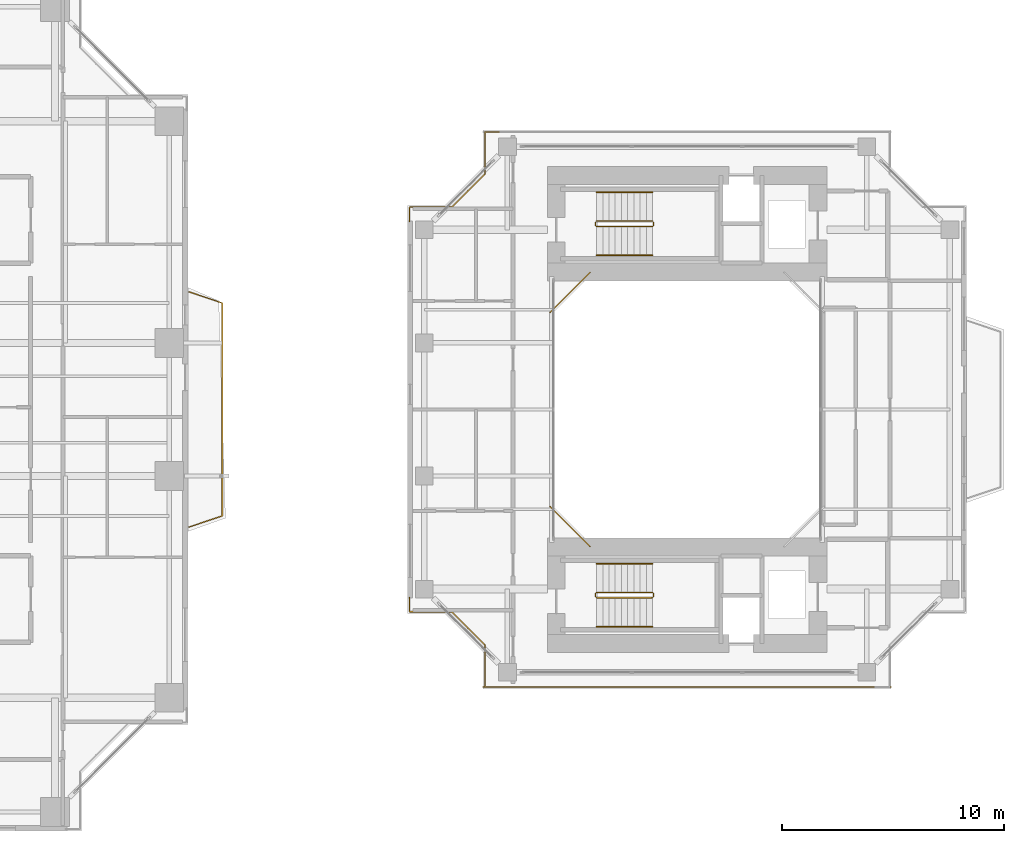
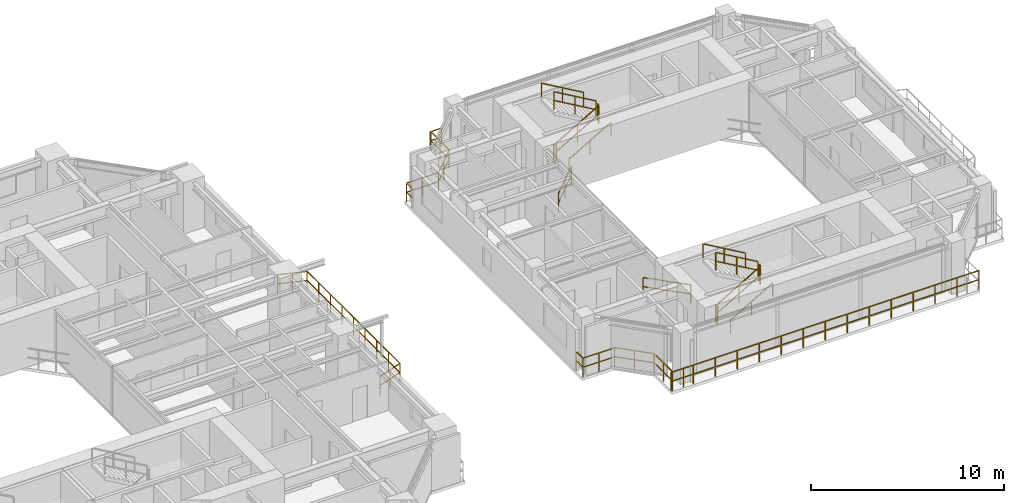
# One storey, part 22 of 23: 18 railings.
"""IFC4 building model written with IfcOpenShell, lengths in metres."""

from ifc_helpers import new_model, si_unit, direction, frame, origin, origin_2d, place, context, subcontext, project, spatial, rectangle, extrude, material, type_object, element, save


model = new_model("IFC4")

# Units and contexts
model_context = context("Model", 3, precision=1e-05, world=origin(), true_north=direction((0.0, 1.0)))
body_context = subcontext(model_context, "Body", "Model", "MODEL_VIEW")
ifc_project = project(units=[si_unit("LENGTHUNIT", "METRE"), si_unit("AREAUNIT", "SQUARE_METRE"), si_unit("VOLUMEUNIT", "CUBIC_METRE"), si_unit("PLANEANGLEUNIT", "RADIAN"), si_unit("MASSUNIT", "GRAM", prefix="KILO"), si_unit("THERMODYNAMICTEMPERATUREUNIT", "KELVIN"), si_unit("POWERUNIT", "WATT")], contexts=[model_context])

# Site, building, storey
site_placement = place(None, origin())
site = spatial("IfcSite", under=ifc_project, at=site_placement, CompositionType="ELEMENT")
building_placement = place(site_placement, origin())
building = spatial("IfcBuilding", under=site, at=building_placement, Name="Qiaomeng Ring Towers", CompositionType="ELEMENT")
storey_placement = place(building_placement, frame((0.0, 0.0, 86.0)))
storey = spatial("IfcBuildingStorey", under=building, at=storey_placement, Name="L24", CompositionType="ELEMENT", Elevation=86.0)

# Railings
ifc_material_1 = material(Name="Low-E pale-green laminated safety glass", Category="glass")
railing_type_1 = type_object("IfcRailingType", Name="ARC-RL-BAL1", PredefinedType="BALUSTRADE", material=ifc_material_1)
railing_1_placement = place(storey_placement, frame((38.050048828125, 17.699951171875, 0.0)))
element("IfcRailing", 1, at=railing_1_placement, inside=storey, type_object=railing_type_1, Name="L24 Balustrade ARC-BAL-L24-T1-E", PredefinedType="BALUSTRADE", context=body_context, shape_type="SweptSolid", body=[
    extrude(rectangle(XDim=0.048095703125, YDim=0.048095703125, at=origin_2d()), frame((0.0, 0.0, 1.17578125), z_axis=(0.948044476945, 0.318137815629, 0.0), x_axis=(-0.318137815629, 0.948044476945, 0.0)), (0.0, 0.0, 1.0), 1.571533203125),
    extrude(rectangle(XDim=0.048095703125, YDim=0.048095703125, at=origin_2d()), frame((0.0, 0.0, 0.60009765625), z_axis=(0.948044476945, 0.318137815629, 0.0), x_axis=(-0.318137815629, 0.948044476945, 0.0)), (0.0, 0.0, 1.0), 1.571533203125),
    extrude(rectangle(XDim=0.048095703125, YDim=0.048095703125, at=origin_2d()), frame((1.489990234375, 0.5, 1.17578125), z_axis=(0.0, 1.0, 0.0), x_axis=(-1.0, 0.0, 0.0)), (0.0, 0.0, 1.0), 9.60009765625),
    extrude(rectangle(XDim=0.048095703125, YDim=0.048095703125, at=origin_2d()), frame((1.489990234375, 0.5, 0.60009765625), z_axis=(0.0, 1.0, 0.0), x_axis=(-1.0, 0.0, 0.0)), (0.0, 0.0, 1.0), 9.60009765625),
    extrude(rectangle(XDim=0.048095703125, YDim=0.048095703125, at=origin_2d()), frame((1.489990234375, 10.10009765625, 1.17578125), z_axis=(-0.948044476945, 0.318137815629, 0.0), x_axis=(-0.318137815629, -0.948044476945, 0.0)), (0.0, 0.0, 1.0), 1.571533203125),
    extrude(rectangle(XDim=0.048095703125, YDim=0.048095703125, at=origin_2d()), frame((1.489990234375, 10.10009765625, 0.60009765625), z_axis=(-0.948044476945, 0.318137815629, 0.0), x_axis=(-0.318137815629, -0.948044476945, 0.0)), (0.0, 0.0, 1.0), 1.571533203125),
    extrude(rectangle(XDim=0.0419921875, YDim=0.0419921875, at=origin_2d()), origin(), (0.0, 0.0, 1.0), 1.15185546875),
    extrude(rectangle(XDim=0.0419921875, YDim=0.0419921875, at=origin_2d()), frame((0.7451171875, 0.25, 0.0)), (0.0, 0.0, 1.0), 1.15185546875),
    extrude(rectangle(XDim=0.0419921875, YDim=0.0419921875, at=origin_2d()), frame((1.489990234375, 0.5, 0.0)), (0.0, 0.0, 1.0), 1.15185546875),
    extrude(rectangle(XDim=0.0419921875, YDim=0.0419921875, at=origin_2d()), frame((1.489990234375, 1.699951171875, 0.0)), (0.0, 0.0, 1.0), 1.15185546875),
    extrude(rectangle(XDim=0.0419921875, YDim=0.0419921875, at=origin_2d()), frame((1.489990234375, 2.89990234375, 0.0)), (0.0, 0.0, 1.0), 1.15185546875),
    extrude(rectangle(XDim=0.0419921875, YDim=0.0419921875, at=origin_2d()), frame((1.489990234375, 4.10009765625, 0.0)), (0.0, 0.0, 1.0), 1.15185546875),
    extrude(rectangle(XDim=0.0419921875, YDim=0.0419921875, at=origin_2d()), frame((1.489990234375, 5.300048828125, 0.0)), (0.0, 0.0, 1.0), 1.15185546875),
    extrude(rectangle(XDim=0.0419921875, YDim=0.0419921875, at=origin_2d()), frame((1.489990234375, 6.5, 0.0)), (0.0, 0.0, 1.0), 1.15185546875),
    extrude(rectangle(XDim=0.0419921875, YDim=0.0419921875, at=origin_2d()), frame((1.489990234375, 7.7001953125, 0.0)), (0.0, 0.0, 1.0), 1.15185546875),
    extrude(rectangle(XDim=0.0419921875, YDim=0.0419921875, at=origin_2d()), frame((1.489990234375, 8.900146484375, 0.0)), (0.0, 0.0, 1.0), 1.15185546875),
    extrude(rectangle(XDim=0.0419921875, YDim=0.0419921875, at=origin_2d()), frame((1.489990234375, 10.10009765625, 0.0)), (0.0, 0.0, 1.0), 1.15185546875),
    extrude(rectangle(XDim=0.0419921875, YDim=0.0419921875, at=origin_2d()), frame((0.7451171875, 10.35009765625, 0.0)), (0.0, 0.0, 1.0), 1.15185546875),
    extrude(rectangle(XDim=0.0419921875, YDim=0.0419921875, at=origin_2d()), frame((0.0, 10.60009765625, 0.0)), (0.0, 0.0, 1.0), 1.15185546875),
])
railing_2_placement = place(storey_placement, frame((56.1201171875, 29.179931640625, 0.0)))
element("IfcRailing", 2, at=railing_2_placement, inside=storey, type_object=railing_type_1, Name="L24 Balustrade ARC-BAL-WELL2-L24-3", PredefinedType="BALUSTRADE", context=body_context, shape_type="SweptSolid", body=[
    extrude(rectangle(XDim=0.048095703125, YDim=0.048095703125, at=origin_2d()), frame((0.0, 0.0, 1.17578125), z_axis=(-0.707106781187, -0.707106781187, 0.0), x_axis=(0.707106781187, -0.707106781187, 0.0)), (0.0, 0.0, 1.0), 2.545654296875),
    extrude(rectangle(XDim=0.048095703125, YDim=0.048095703125, at=origin_2d()), frame((0.0, 0.0, 0.60009765625), z_axis=(-0.707106781187, -0.707106781187, 0.0), x_axis=(0.707106781187, -0.707106781187, 0.0)), (0.0, 0.0, 1.0), 2.545654296875),
    extrude(rectangle(XDim=0.0419921875, YDim=0.0419921875, at=origin_2d()), origin(), (0.0, 0.0, 1.0), 1.15185546875),
    extrude(rectangle(XDim=0.0419921875, YDim=0.0419921875, at=origin_2d()), frame((-0.89990234375, -0.89990234375, 0.0)), (0.0, 0.0, 1.0), 1.15185546875),
    extrude(rectangle(XDim=0.0419921875, YDim=0.0419921875, at=origin_2d()), frame((-1.800048828125, -1.800048828125, 0.0)), (0.0, 0.0, 1.0), 1.15185546875),
])
railing_3_placement = place(storey_placement, frame((54.320068359375, 18.6201171875, 0.0)))
element("IfcRailing", 3, at=railing_3_placement, inside=storey, type_object=railing_type_1, Name="L24 Balustrade ARC-BAL-WELL2-L24-4", PredefinedType="BALUSTRADE", context=body_context, shape_type="SweptSolid", body=[
    extrude(rectangle(XDim=0.048095703125, YDim=0.048095703125, at=origin_2d()), frame((0.0, 0.0, 1.17578125), z_axis=(0.707106781187, -0.707106781187, 0.0), x_axis=(0.707106781187, 0.707106781187, 0.0)), (0.0, 0.0, 1.0), 2.545654296875),
    extrude(rectangle(XDim=0.048095703125, YDim=0.048095703125, at=origin_2d()), frame((0.0, 0.0, 0.60009765625), z_axis=(0.707106781187, -0.707106781187, 0.0), x_axis=(0.707106781187, 0.707106781187, 0.0)), (0.0, 0.0, 1.0), 2.545654296875),
    extrude(rectangle(XDim=0.0419921875, YDim=0.0419921875, at=origin_2d()), origin(), (0.0, 0.0, 1.0), 1.15185546875),
    extrude(rectangle(XDim=0.0419921875, YDim=0.0419921875, at=origin_2d()), frame((0.89990234375, -0.89990234375, 0.0)), (0.0, 0.0, 1.0), 1.15185546875),
    extrude(rectangle(XDim=0.0419921875, YDim=0.0419921875, at=origin_2d()), frame((1.800048828125, -1.800048828125, 0.0)), (0.0, 0.0, 1.0), 1.15185546875),
])
railing_4_placement = place(storey_placement, frame((52.030029296875, 35.52001953125, 0.0)))
element("IfcRailing", 4, at=railing_4_placement, inside=storey, type_object=railing_type_1, Name="L24 Balustrade ARC-BAL-NOTCH2-L24-NW", PredefinedType="BALUSTRADE", context=body_context, shape_type="SweptSolid", body=[
    extrude(rectangle(XDim=0.048095703125, YDim=0.048095703125, at=origin_2d()), frame((0.0, 0.0, 1.17578125), z_axis=(-1.0, 0.0, 0.0), x_axis=(0.0, -1.0, 0.0)), (0.0, 0.0, 1.0), 0.650146484375),
    extrude(rectangle(XDim=0.048095703125, YDim=0.048095703125, at=origin_2d()), frame((0.0, 0.0, 0.60009765625), z_axis=(-1.0, 0.0, 0.0), x_axis=(0.0, -1.0, 0.0)), (0.0, 0.0, 1.0), 0.650146484375),
    extrude(rectangle(XDim=0.048095703125, YDim=0.048095703125, at=origin_2d()), frame((-0.650146484375, 0.0, 1.17578125), z_axis=(0.0, -1.0, 0.0), x_axis=(1.0, 0.0, 0.0)), (0.0, 0.0, 1.0), 1.89990234375),
    extrude(rectangle(XDim=0.048095703125, YDim=0.048095703125, at=origin_2d()), frame((-0.650146484375, 0.0, 0.60009765625), z_axis=(0.0, -1.0, 0.0), x_axis=(1.0, 0.0, 0.0)), (0.0, 0.0, 1.0), 1.89990234375),
    extrude(rectangle(XDim=0.048095703125, YDim=0.048095703125, at=origin_2d()), frame((-0.650146484375, -1.89990234375, 1.17578125), z_axis=(-0.707106781187, -0.707106781187, 0.0), x_axis=(0.707106781187, -0.707106781187, 0.0)), (0.0, 0.0, 1.0), 2.121337890625),
    extrude(rectangle(XDim=0.048095703125, YDim=0.048095703125, at=origin_2d()), frame((-0.650146484375, -1.89990234375, 0.60009765625), z_axis=(-0.707106781187, -0.707106781187, 0.0), x_axis=(0.707106781187, -0.707106781187, 0.0)), (0.0, 0.0, 1.0), 2.121337890625),
    extrude(rectangle(XDim=0.048095703125, YDim=0.048095703125, at=origin_2d()), frame((-2.150146484375, -3.39990234375, 1.17578125), z_axis=(-1.0, 0.0, 0.0), x_axis=(0.0, -1.0, 0.0)), (0.0, 0.0, 1.0), 1.89990234375),
    extrude(rectangle(XDim=0.048095703125, YDim=0.048095703125, at=origin_2d()), frame((-2.150146484375, -3.39990234375, 0.60009765625), z_axis=(-1.0, 0.0, 0.0), x_axis=(0.0, -1.0, 0.0)), (0.0, 0.0, 1.0), 1.89990234375),
    extrude(rectangle(XDim=0.048095703125, YDim=0.048095703125, at=origin_2d()), frame((-4.050048828125, -3.39990234375, 1.17578125), z_axis=(0.0, -1.0, 0.0), x_axis=(1.0, 0.0, 0.0)), (0.0, 0.0, 1.0), 0.650146484375),
    extrude(rectangle(XDim=0.048095703125, YDim=0.048095703125, at=origin_2d()), frame((-4.050048828125, -3.39990234375, 0.60009765625), z_axis=(0.0, -1.0, 0.0), x_axis=(1.0, 0.0, 0.0)), (0.0, 0.0, 1.0), 0.650146484375),
    extrude(rectangle(XDim=0.0419921875, YDim=0.0419921875, at=origin_2d()), origin(), (0.0, 0.0, 1.0), 1.15185546875),
    extrude(rectangle(XDim=0.0419921875, YDim=0.0419921875, at=origin_2d()), frame((-0.650146484375, 0.0, 0.0)), (0.0, 0.0, 1.0), 1.15185546875),
    extrude(rectangle(XDim=0.0419921875, YDim=0.0419921875, at=origin_2d()), frame((-0.650146484375, -0.949951171875, 0.0)), (0.0, 0.0, 1.0), 1.15185546875),
    extrude(rectangle(XDim=0.0419921875, YDim=0.0419921875, at=origin_2d()), frame((-0.650146484375, -1.89990234375, 0.0)), (0.0, 0.0, 1.0), 1.15185546875),
    extrude(rectangle(XDim=0.0419921875, YDim=0.0419921875, at=origin_2d()), frame((-1.400146484375, -2.64990234375, 0.0)), (0.0, 0.0, 1.0), 1.15185546875),
    extrude(rectangle(XDim=0.0419921875, YDim=0.0419921875, at=origin_2d()), frame((-2.150146484375, -3.39990234375, 0.0)), (0.0, 0.0, 1.0), 1.15185546875),
    extrude(rectangle(XDim=0.0419921875, YDim=0.0419921875, at=origin_2d()), frame((-3.10009765625, -3.39990234375, 0.0)), (0.0, 0.0, 1.0), 1.15185546875),
    extrude(rectangle(XDim=0.0419921875, YDim=0.0419921875, at=origin_2d()), frame((-4.050048828125, -3.39990234375, 0.0)), (0.0, 0.0, 1.0), 1.15185546875),
    extrude(rectangle(XDim=0.0419921875, YDim=0.0419921875, at=origin_2d()), frame((-4.050048828125, -4.050048828125, 0.0)), (0.0, 0.0, 1.0), 1.15185546875),
])
railing_5_placement = place(storey_placement, frame((47.97998046875, 14.530029296875, 0.0)))
element("IfcRailing", 5, at=railing_5_placement, inside=storey, type_object=railing_type_1, Name="L24 Balustrade ARC-BAL-NOTCH2-L24-SW", PredefinedType="BALUSTRADE", context=body_context, shape_type="SweptSolid", body=[
    extrude(rectangle(XDim=0.048095703125, YDim=0.048095703125, at=origin_2d()), frame((0.0, 0.0, 1.17578125), z_axis=(0.0, -1.0, 0.0), x_axis=(1.0, 0.0, 0.0)), (0.0, 0.0, 1.0), 0.650146484375),
    extrude(rectangle(XDim=0.048095703125, YDim=0.048095703125, at=origin_2d()), frame((0.0, 0.0, 0.60009765625), z_axis=(0.0, -1.0, 0.0), x_axis=(1.0, 0.0, 0.0)), (0.0, 0.0, 1.0), 0.650146484375),
    extrude(rectangle(XDim=0.048095703125, YDim=0.048095703125, at=origin_2d()), frame((0.0, -0.650146484375, 1.17578125), z_axis=(1.0, 0.0, 0.0), x_axis=(0.0, 1.0, 0.0)), (0.0, 0.0, 1.0), 1.89990234375),
    extrude(rectangle(XDim=0.048095703125, YDim=0.048095703125, at=origin_2d()), frame((0.0, -0.650146484375, 0.60009765625), z_axis=(1.0, 0.0, 0.0), x_axis=(0.0, 1.0, 0.0)), (0.0, 0.0, 1.0), 1.89990234375),
    extrude(rectangle(XDim=0.048095703125, YDim=0.048095703125, at=origin_2d()), frame((1.89990234375, -0.650146484375, 1.17578125), z_axis=(0.707106781187, -0.707106781187, 0.0), x_axis=(0.707106781187, 0.707106781187, 0.0)), (0.0, 0.0, 1.0), 2.121337890625),
    extrude(rectangle(XDim=0.048095703125, YDim=0.048095703125, at=origin_2d()), frame((1.89990234375, -0.650146484375, 0.60009765625), z_axis=(0.707106781187, -0.707106781187, 0.0), x_axis=(0.707106781187, 0.707106781187, 0.0)), (0.0, 0.0, 1.0), 2.121337890625),
    extrude(rectangle(XDim=0.048095703125, YDim=0.048095703125, at=origin_2d()), frame((3.39990234375, -2.150146484375, 1.17578125), z_axis=(0.0, -1.0, 0.0), x_axis=(1.0, 0.0, 0.0)), (0.0, 0.0, 1.0), 1.89990234375),
    extrude(rectangle(XDim=0.048095703125, YDim=0.048095703125, at=origin_2d()), frame((3.39990234375, -2.150146484375, 0.60009765625), z_axis=(0.0, -1.0, 0.0), x_axis=(1.0, 0.0, 0.0)), (0.0, 0.0, 1.0), 1.89990234375),
    extrude(rectangle(XDim=0.048095703125, YDim=0.048095703125, at=origin_2d()), frame((3.39990234375, -4.050048828125, 1.17578125), z_axis=(1.0, 0.0, 0.0), x_axis=(0.0, 1.0, 0.0)), (0.0, 0.0, 1.0), 0.650146484375),
    extrude(rectangle(XDim=0.048095703125, YDim=0.048095703125, at=origin_2d()), frame((3.39990234375, -4.050048828125, 0.60009765625), z_axis=(1.0, 0.0, 0.0), x_axis=(0.0, 1.0, 0.0)), (0.0, 0.0, 1.0), 0.650146484375),
    extrude(rectangle(XDim=0.0419921875, YDim=0.0419921875, at=origin_2d()), origin(), (0.0, 0.0, 1.0), 1.15185546875),
    extrude(rectangle(XDim=0.0419921875, YDim=0.0419921875, at=origin_2d()), frame((0.0, -0.650146484375, 0.0)), (0.0, 0.0, 1.0), 1.15185546875),
    extrude(rectangle(XDim=0.0419921875, YDim=0.0419921875, at=origin_2d()), frame((0.949951171875, -0.650146484375, 0.0)), (0.0, 0.0, 1.0), 1.15185546875),
    extrude(rectangle(XDim=0.0419921875, YDim=0.0419921875, at=origin_2d()), frame((1.89990234375, -0.650146484375, 0.0)), (0.0, 0.0, 1.0), 1.15185546875),
    extrude(rectangle(XDim=0.0419921875, YDim=0.0419921875, at=origin_2d()), frame((2.64990234375, -1.400146484375, 0.0)), (0.0, 0.0, 1.0), 1.15185546875),
    extrude(rectangle(XDim=0.0419921875, YDim=0.0419921875, at=origin_2d()), frame((3.39990234375, -2.150146484375, 0.0)), (0.0, 0.0, 1.0), 1.15185546875),
    extrude(rectangle(XDim=0.0419921875, YDim=0.0419921875, at=origin_2d()), frame((3.39990234375, -3.10009765625, 0.0)), (0.0, 0.0, 1.0), 1.15185546875),
    extrude(rectangle(XDim=0.0419921875, YDim=0.0419921875, at=origin_2d()), frame((3.39990234375, -4.050048828125, 0.0)), (0.0, 0.0, 1.0), 1.15185546875),
    extrude(rectangle(XDim=0.0419921875, YDim=0.0419921875, at=origin_2d()), frame((4.050048828125, -4.050048828125, 0.0)), (0.0, 0.0, 1.0), 1.15185546875),
])
railing_6_placement = place(storey_placement, frame((51.300048828125, 10.47998046875, 0.0)))
element("IfcRailing", 6, at=railing_6_placement, inside=storey, type_object=railing_type_1, Name="L24 Balustrade ARC-BAL-T2S-L24", PredefinedType="BALUSTRADE", context=body_context, shape_type="SweptSolid", body=[
    extrude(rectangle(XDim=0.048095703125, YDim=0.048095703125, at=origin_2d()), frame((0.0, 0.0, 1.17578125), z_axis=(1.0, 0.0, 0.0), x_axis=(0.0, 1.0, 0.0)), (0.0, 0.0, 1.0), 18.39990234375),
    extrude(rectangle(XDim=0.048095703125, YDim=0.048095703125, at=origin_2d()), frame((0.0, 0.0, 0.60009765625), z_axis=(1.0, 0.0, 0.0), x_axis=(0.0, 1.0, 0.0)), (0.0, 0.0, 1.0), 18.39990234375),
    extrude(rectangle(XDim=0.0419921875, YDim=0.0419921875, at=origin_2d()), origin(), (0.0, 0.0, 1.0), 1.15185546875),
    extrude(rectangle(XDim=0.0419921875, YDim=0.0419921875, at=origin_2d()), frame((1.314208984375, 0.0, 0.0)), (0.0, 0.0, 1.0), 1.15185546875),
    extrude(rectangle(XDim=0.0419921875, YDim=0.0419921875, at=origin_2d()), frame((2.628662109375, 0.0, 0.0)), (0.0, 0.0, 1.0), 1.15185546875),
    extrude(rectangle(XDim=0.0419921875, YDim=0.0419921875, at=origin_2d()), frame((3.94287109375, 0.0, 0.0)), (0.0, 0.0, 1.0), 1.15185546875),
    extrude(rectangle(XDim=0.0419921875, YDim=0.0419921875, at=origin_2d()), frame((5.257080078125, 0.0, 0.0)), (0.0, 0.0, 1.0), 1.15185546875),
    extrude(rectangle(XDim=0.0419921875, YDim=0.0419921875, at=origin_2d()), frame((6.5712890625, 0.0, 0.0)), (0.0, 0.0, 1.0), 1.15185546875),
    extrude(rectangle(XDim=0.0419921875, YDim=0.0419921875, at=origin_2d()), frame((7.8857421875, 0.0, 0.0)), (0.0, 0.0, 1.0), 1.15185546875),
    extrude(rectangle(XDim=0.0419921875, YDim=0.0419921875, at=origin_2d()), frame((9.199951171875, 0.0, 0.0)), (0.0, 0.0, 1.0), 1.15185546875),
    extrude(rectangle(XDim=0.0419921875, YDim=0.0419921875, at=origin_2d()), frame((10.51416015625, 0.0, 0.0)), (0.0, 0.0, 1.0), 1.15185546875),
    extrude(rectangle(XDim=0.0419921875, YDim=0.0419921875, at=origin_2d()), frame((11.82861328125, 0.0, 0.0)), (0.0, 0.0, 1.0), 1.15185546875),
    extrude(rectangle(XDim=0.0419921875, YDim=0.0419921875, at=origin_2d()), frame((13.142822265625, 0.0, 0.0)), (0.0, 0.0, 1.0), 1.15185546875),
    extrude(rectangle(XDim=0.0419921875, YDim=0.0419921875, at=origin_2d()), frame((14.45703125, 0.0, 0.0)), (0.0, 0.0, 1.0), 1.15185546875),
    extrude(rectangle(XDim=0.0419921875, YDim=0.0419921875, at=origin_2d()), frame((15.771240234375, 0.0, 0.0)), (0.0, 0.0, 1.0), 1.15185546875),
    extrude(rectangle(XDim=0.0419921875, YDim=0.0419921875, at=origin_2d()), frame((17.085693359375, 0.0, 0.0)), (0.0, 0.0, 1.0), 1.15185546875),
    extrude(rectangle(XDim=0.0419921875, YDim=0.0419921875, at=origin_2d()), frame((18.39990234375, 0.0, 0.0)), (0.0, 0.0, 1.0), 1.15185546875),
])
ifc_material_2 = material(Name="Galvanised steel", Category="steel")
railing_type_2 = type_object("IfcRailingType", Name="ARC-RL-GUARD", PredefinedType="GUARDRAIL", material=ifc_material_2)
railing_7_placement = place(storey_placement, frame((56.419921875, 31.25, 0.16259765625)))
element("IfcRailing", 7, at=railing_7_placement, inside=storey, type_object=railing_type_2, Name="L24 ST5 stair guard 1", PredefinedType="GUARDRAIL", context=body_context, shape_type="SweptSolid", body=[
    extrude(rectangle(XDim=0.048095703125, YDim=0.048095703125, at=origin_2d()), frame((0.0, 0.0, 1.1259765625), z_axis=(0.864913338283, 0.0, 0.50192122615), x_axis=(0.0, 1.0, 0.0)), (0.0, 0.0, 1.0), 2.91357421875),
    extrude(rectangle(XDim=0.048095703125, YDim=0.048095703125, at=origin_2d()), frame((0.0, 0.0, 0.574951171875), z_axis=(0.864913338283, 0.0, 0.50192122615), x_axis=(0.0, 1.0, 0.0)), (0.0, 0.0, 1.0), 2.91357421875),
    extrude(rectangle(XDim=0.0419921875, YDim=0.0419921875, at=origin_2d()), origin(), (0.0, 0.0, 1.0), 1.101806640625),
    extrude(rectangle(XDim=0.0419921875, YDim=0.0419921875, at=origin_2d()), frame((1.260009765625, 0.0, 0.731201171875)), (0.0, 0.0, 1.0), 1.101806640625),
    extrude(rectangle(XDim=0.0419921875, YDim=0.0419921875, at=origin_2d()), frame((2.52001953125, 0.0, 1.46240234375)), (0.0, 0.0, 1.0), 1.101806640625),
])
railing_8_placement = place(storey_placement, frame((58.989990234375, 31.300048828125, 1.625)))
element("IfcRailing", 8, at=railing_8_placement, inside=storey, type_object=railing_type_2, Name="L24 ST5 stair guard 2", PredefinedType="GUARDRAIL", context=body_context, shape_type="SweptSolid", body=[
    extrude(rectangle(XDim=0.048095703125, YDim=0.048095703125, at=origin_2d()), frame((0.0, 0.0, 1.1259765625), z_axis=(0.0, 1.0, 0.0), x_axis=(-1.0, 0.0, 0.0)), (0.0, 0.0, 1.0), 0.139892578125),
    extrude(rectangle(XDim=0.048095703125, YDim=0.048095703125, at=origin_2d()), frame((0.0, 0.0, 0.574951171875), z_axis=(0.0, 1.0, 0.0), x_axis=(-1.0, 0.0, 0.0)), (0.0, 0.0, 1.0), 0.139892578125),
    extrude(rectangle(XDim=0.0419921875, YDim=0.0419921875, at=origin_2d()), origin(), (0.0, 0.0, 1.0), 1.101806640625),
    extrude(rectangle(XDim=0.0419921875, YDim=0.0419921875, at=origin_2d()), frame((0.0, 0.139892578125, 0.0)), (0.0, 0.0, 1.0), 1.101806640625),
])
railing_9_placement = place(storey_placement, frame((58.93994140625, 31.489990234375, 1.78759765625)))
element("IfcRailing", 9, at=railing_9_placement, inside=storey, type_object=railing_type_2, Name="L24 ST5 stair guard 3", PredefinedType="GUARDRAIL", context=body_context, shape_type="SweptSolid", body=[
    extrude(rectangle(XDim=0.048095703125, YDim=0.048095703125, at=origin_2d()), frame((0.0, 0.0, 1.1259765625), z_axis=(-0.864913338283, 0.0, 0.50192122615), x_axis=(0.0, -1.0, 0.0)), (0.0, 0.0, 1.0), 2.91357421875),
    extrude(rectangle(XDim=0.048095703125, YDim=0.048095703125, at=origin_2d()), frame((0.0, 0.0, 0.574951171875), z_axis=(-0.864913338283, 0.0, 0.50192122615), x_axis=(0.0, -1.0, 0.0)), (0.0, 0.0, 1.0), 2.91357421875),
    extrude(rectangle(XDim=0.0419921875, YDim=0.0419921875, at=origin_2d()), origin(), (0.0, 0.0, 1.0), 1.101806640625),
    extrude(rectangle(XDim=0.0419921875, YDim=0.0419921875, at=origin_2d()), frame((-1.260009765625, 0.0, 0.731201171875)), (0.0, 0.0, 1.0), 1.101806640625),
    extrude(rectangle(XDim=0.0419921875, YDim=0.0419921875, at=origin_2d()), frame((-2.52001953125, 0.0, 1.46240234375)), (0.0, 0.0, 1.0), 1.101806640625),
])
railing_10_placement = place(storey_placement, frame((56.3701171875, 31.300048828125, 0.0)))
element("IfcRailing", 10, at=railing_10_placement, inside=storey, type_object=railing_type_2, Name="L24 ST5 stair guard 4", PredefinedType="GUARDRAIL", context=body_context, shape_type="SweptSolid", body=[
    extrude(rectangle(XDim=0.048095703125, YDim=0.048095703125, at=origin_2d()), frame((0.0, 0.0, 1.1259765625), z_axis=(0.0, 1.0, 0.0), x_axis=(-1.0, 0.0, 0.0)), (0.0, 0.0, 1.0), 0.139892578125),
    extrude(rectangle(XDim=0.048095703125, YDim=0.048095703125, at=origin_2d()), frame((0.0, 0.0, 0.574951171875), z_axis=(0.0, 1.0, 0.0), x_axis=(-1.0, 0.0, 0.0)), (0.0, 0.0, 1.0), 0.139892578125),
    extrude(rectangle(XDim=0.0419921875, YDim=0.0419921875, at=origin_2d()), origin(), (0.0, 0.0, 1.0), 1.101806640625),
    extrude(rectangle(XDim=0.0419921875, YDim=0.0419921875, at=origin_2d()), frame((0.0, 0.139892578125, 0.0)), (0.0, 0.0, 1.0), 1.101806640625),
])
railing_11_placement = place(storey_placement, frame((56.419921875, 14.510009765625, 0.16259765625)))
element("IfcRailing", 11, at=railing_11_placement, inside=storey, type_object=railing_type_2, Name="L24 ST6 stair guard 1", PredefinedType="GUARDRAIL", context=body_context, shape_type="SweptSolid", body=[
    extrude(rectangle(XDim=0.048095703125, YDim=0.048095703125, at=origin_2d()), frame((0.0, 0.0, 1.1259765625), z_axis=(0.864913338283, 0.0, 0.50192122615), x_axis=(0.0, 1.0, 0.0)), (0.0, 0.0, 1.0), 2.91357421875),
    extrude(rectangle(XDim=0.048095703125, YDim=0.048095703125, at=origin_2d()), frame((0.0, 0.0, 0.574951171875), z_axis=(0.864913338283, 0.0, 0.50192122615), x_axis=(0.0, 1.0, 0.0)), (0.0, 0.0, 1.0), 2.91357421875),
    extrude(rectangle(XDim=0.0419921875, YDim=0.0419921875, at=origin_2d()), origin(), (0.0, 0.0, 1.0), 1.101806640625),
    extrude(rectangle(XDim=0.0419921875, YDim=0.0419921875, at=origin_2d()), frame((1.260009765625, 0.0, 0.731201171875)), (0.0, 0.0, 1.0), 1.101806640625),
    extrude(rectangle(XDim=0.0419921875, YDim=0.0419921875, at=origin_2d()), frame((2.52001953125, 0.0, 1.46240234375)), (0.0, 0.0, 1.0), 1.101806640625),
])
railing_12_placement = place(storey_placement, frame((58.989990234375, 14.56005859375, 1.625)))
element("IfcRailing", 12, at=railing_12_placement, inside=storey, type_object=railing_type_2, Name="L24 ST6 stair guard 2", PredefinedType="GUARDRAIL", context=body_context, shape_type="SweptSolid", body=[
    extrude(rectangle(XDim=0.048095703125, YDim=0.048095703125, at=origin_2d()), frame((0.0, 0.0, 1.1259765625), z_axis=(0.0, 1.0, 0.0), x_axis=(-1.0, 0.0, 0.0)), (0.0, 0.0, 1.0), 0.139892578125),
    extrude(rectangle(XDim=0.048095703125, YDim=0.048095703125, at=origin_2d()), frame((0.0, 0.0, 0.574951171875), z_axis=(0.0, 1.0, 0.0), x_axis=(-1.0, 0.0, 0.0)), (0.0, 0.0, 1.0), 0.139892578125),
    extrude(rectangle(XDim=0.0419921875, YDim=0.0419921875, at=origin_2d()), origin(), (0.0, 0.0, 1.0), 1.101806640625),
    extrude(rectangle(XDim=0.0419921875, YDim=0.0419921875, at=origin_2d()), frame((0.0, 0.139892578125, 0.0)), (0.0, 0.0, 1.0), 1.101806640625),
])
railing_13_placement = place(storey_placement, frame((58.93994140625, 14.75, 1.78759765625)))
element("IfcRailing", 13, at=railing_13_placement, inside=storey, type_object=railing_type_2, Name="L24 ST6 stair guard 3", PredefinedType="GUARDRAIL", context=body_context, shape_type="SweptSolid", body=[
    extrude(rectangle(XDim=0.048095703125, YDim=0.048095703125, at=origin_2d()), frame((0.0, 0.0, 1.1259765625), z_axis=(-0.864913338283, 0.0, 0.50192122615), x_axis=(0.0, -1.0, 0.0)), (0.0, 0.0, 1.0), 2.91357421875),
    extrude(rectangle(XDim=0.048095703125, YDim=0.048095703125, at=origin_2d()), frame((0.0, 0.0, 0.574951171875), z_axis=(-0.864913338283, 0.0, 0.50192122615), x_axis=(0.0, -1.0, 0.0)), (0.0, 0.0, 1.0), 2.91357421875),
    extrude(rectangle(XDim=0.0419921875, YDim=0.0419921875, at=origin_2d()), origin(), (0.0, 0.0, 1.0), 1.101806640625),
    extrude(rectangle(XDim=0.0419921875, YDim=0.0419921875, at=origin_2d()), frame((-1.260009765625, 0.0, 0.731201171875)), (0.0, 0.0, 1.0), 1.101806640625),
    extrude(rectangle(XDim=0.0419921875, YDim=0.0419921875, at=origin_2d()), frame((-2.52001953125, 0.0, 1.46240234375)), (0.0, 0.0, 1.0), 1.101806640625),
])
railing_14_placement = place(storey_placement, frame((56.3701171875, 14.56005859375, 0.0)))
element("IfcRailing", 14, at=railing_14_placement, inside=storey, type_object=railing_type_2, Name="L24 ST6 stair guard 4", PredefinedType="GUARDRAIL", context=body_context, shape_type="SweptSolid", body=[
    extrude(rectangle(XDim=0.048095703125, YDim=0.048095703125, at=origin_2d()), frame((0.0, 0.0, 1.1259765625), z_axis=(0.0, 1.0, 0.0), x_axis=(-1.0, 0.0, 0.0)), (0.0, 0.0, 1.0), 0.139892578125),
    extrude(rectangle(XDim=0.048095703125, YDim=0.048095703125, at=origin_2d()), frame((0.0, 0.0, 0.574951171875), z_axis=(0.0, 1.0, 0.0), x_axis=(-1.0, 0.0, 0.0)), (0.0, 0.0, 1.0), 0.139892578125),
    extrude(rectangle(XDim=0.0419921875, YDim=0.0419921875, at=origin_2d()), origin(), (0.0, 0.0, 1.0), 1.101806640625),
    extrude(rectangle(XDim=0.0419921875, YDim=0.0419921875, at=origin_2d()), frame((0.0, 0.139892578125, 0.0)), (0.0, 0.0, 1.0), 1.101806640625),
])
ifc_material_3 = material(Name="Stainless steel 316", Category="steel")
railing_type_3 = type_object("IfcRailingType", Name="ARC-RL-HAND", PredefinedType="HANDRAIL", material=ifc_material_3)
railing_15_placement = place(storey_placement, frame((56.419921875, 29.949951171875, 0.16259765625)))
element("IfcRailing", 15, at=railing_15_placement, inside=storey, type_object=railing_type_3, Name="L24 ST5 stair handrail 1", PredefinedType="HANDRAIL", context=body_context, shape_type="SweptSolid", body=[
    extrude(rectangle(XDim=0.048095703125, YDim=0.048095703125, at=origin_2d()), frame((0.0, 0.0, 0.8759765625), z_axis=(0.864913338283, 0.0, 0.50192122615), x_axis=(0.0, 1.0, 0.0)), (0.0, 0.0, 1.0), 2.91357421875),
    extrude(rectangle(XDim=0.0419921875, YDim=0.0419921875, at=origin_2d()), origin(), (0.0, 0.0, 1.0), 0.851806640625),
    extrude(rectangle(XDim=0.0419921875, YDim=0.0419921875, at=origin_2d()), frame((1.260009765625, 0.0, 0.731201171875)), (0.0, 0.0, 1.0), 0.851806640625),
    extrude(rectangle(XDim=0.0419921875, YDim=0.0419921875, at=origin_2d()), frame((2.52001953125, 0.0, 1.46240234375)), (0.0, 0.0, 1.0), 0.851806640625),
])
railing_16_placement = place(storey_placement, frame((58.93994140625, 32.7900390625, 1.78759765625)))
element("IfcRailing", 16, at=railing_16_placement, inside=storey, type_object=railing_type_3, Name="L24 ST5 stair handrail 2", PredefinedType="HANDRAIL", context=body_context, shape_type="SweptSolid", body=[
    extrude(rectangle(XDim=0.048095703125, YDim=0.048095703125, at=origin_2d()), frame((0.0, 0.0, 0.8759765625), z_axis=(-0.864913338283, 0.0, 0.50192122615), x_axis=(0.0, -1.0, 0.0)), (0.0, 0.0, 1.0), 2.91357421875),
    extrude(rectangle(XDim=0.0419921875, YDim=0.0419921875, at=origin_2d()), origin(), (0.0, 0.0, 1.0), 0.851806640625),
    extrude(rectangle(XDim=0.0419921875, YDim=0.0419921875, at=origin_2d()), frame((-1.260009765625, 0.0, 0.731201171875)), (0.0, 0.0, 1.0), 0.851806640625),
    extrude(rectangle(XDim=0.0419921875, YDim=0.0419921875, at=origin_2d()), frame((-2.52001953125, 0.0, 1.46240234375)), (0.0, 0.0, 1.0), 0.851806640625),
])
railing_17_placement = place(storey_placement, frame((56.419921875, 13.2099609375, 0.16259765625)))
element("IfcRailing", 17, at=railing_17_placement, inside=storey, type_object=railing_type_3, Name="L24 ST6 stair handrail 1", PredefinedType="HANDRAIL", context=body_context, shape_type="SweptSolid", body=[
    extrude(rectangle(XDim=0.048095703125, YDim=0.048095703125, at=origin_2d()), frame((0.0, 0.0, 0.8759765625), z_axis=(0.864913338283, 0.0, 0.50192122615), x_axis=(0.0, 1.0, 0.0)), (0.0, 0.0, 1.0), 2.91357421875),
    extrude(rectangle(XDim=0.0419921875, YDim=0.0419921875, at=origin_2d()), origin(), (0.0, 0.0, 1.0), 0.851806640625),
    extrude(rectangle(XDim=0.0419921875, YDim=0.0419921875, at=origin_2d()), frame((1.260009765625, 0.0, 0.731201171875)), (0.0, 0.0, 1.0), 0.851806640625),
    extrude(rectangle(XDim=0.0419921875, YDim=0.0419921875, at=origin_2d()), frame((2.52001953125, 0.0, 1.46240234375)), (0.0, 0.0, 1.0), 0.851806640625),
])
railing_18_placement = place(storey_placement, frame((58.93994140625, 16.050048828125, 1.78759765625)))
element("IfcRailing", 18, at=railing_18_placement, inside=storey, type_object=railing_type_3, Name="L24 ST6 stair handrail 2", PredefinedType="HANDRAIL", context=body_context, shape_type="SweptSolid", body=[
    extrude(rectangle(XDim=0.048095703125, YDim=0.048095703125, at=origin_2d()), frame((0.0, 0.0, 0.8759765625), z_axis=(-0.864913338283, 0.0, 0.50192122615), x_axis=(0.0, -1.0, 0.0)), (0.0, 0.0, 1.0), 2.91357421875),
    extrude(rectangle(XDim=0.0419921875, YDim=0.0419921875, at=origin_2d()), origin(), (0.0, 0.0, 1.0), 0.851806640625),
    extrude(rectangle(XDim=0.0419921875, YDim=0.0419921875, at=origin_2d()), frame((-1.260009765625, 0.0, 0.731201171875)), (0.0, 0.0, 1.0), 0.851806640625),
    extrude(rectangle(XDim=0.0419921875, YDim=0.0419921875, at=origin_2d()), frame((-2.52001953125, 0.0, 1.46240234375)), (0.0, 0.0, 1.0), 0.851806640625),
])

save(model, "model.ifc")
